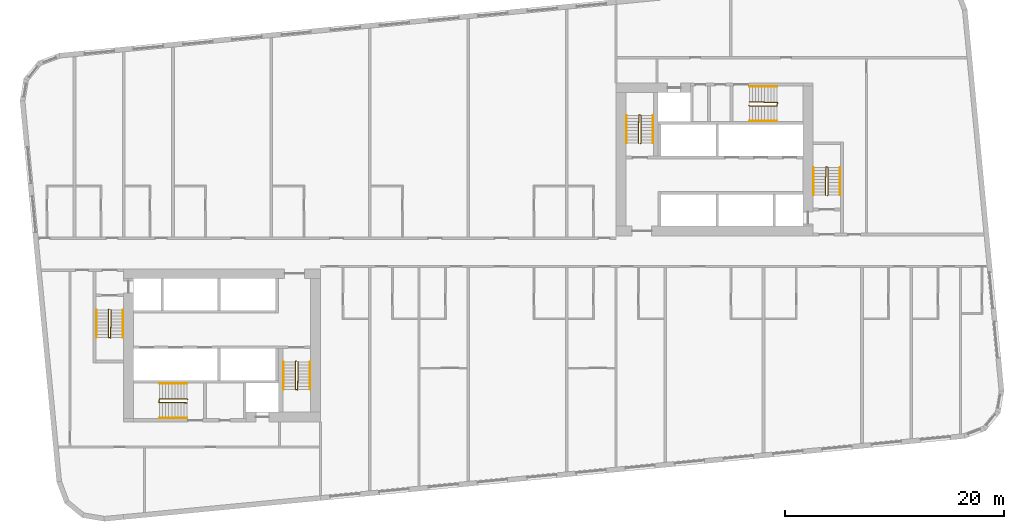
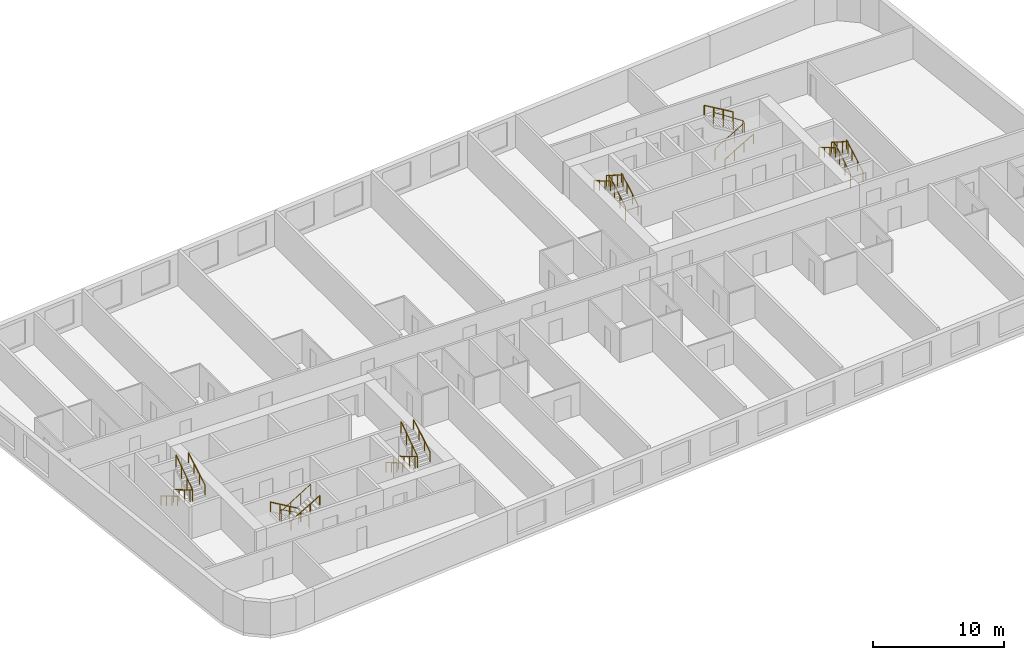
# One storey, part 12 of 12: 18 railings.
"""IFC4 building model written with IfcOpenShell, lengths in metres."""

from ifc_helpers import new_model, si_unit, direction, frame, origin, origin_2d, place, context, subcontext, project, spatial, circle, extrude, material, type_object, element, save


model = new_model("IFC4")

# Units and contexts
model_context = context("Model", 3, precision=1e-05, world=origin(), true_north=direction((0.0, 1.0)))
body_context = subcontext(model_context, "Body", "Model", "MODEL_VIEW")
ifc_project = project(units=[si_unit("LENGTHUNIT", "METRE"), si_unit("AREAUNIT", "SQUARE_METRE"), si_unit("VOLUMEUNIT", "CUBIC_METRE"), si_unit("PLANEANGLEUNIT", "RADIAN"), si_unit("MASSUNIT", "GRAM", prefix="KILO")], contexts=[model_context])

# Site, building, storey
site_placement = place(None, origin())
site = spatial("IfcSite", under=ifc_project, at=site_placement, CompositionType="ELEMENT")
building_placement = place(site_placement, origin())
building = spatial("IfcBuilding", under=site, at=building_placement, Name="Kajstack Hotel Tower", CompositionType="ELEMENT")
storey_placement = place(building_placement, frame((0.0, 0.0, 117.39990234375)))
storey = spatial("IfcBuildingStorey", under=building, at=storey_placement, Name="L25", CompositionType="ELEMENT", Elevation=117.39990234375)

# Railings
ifc_material = material(Name="Steel S355J2", Category="steel")
railing_type_1 = type_object("IfcRailingType", Name="Stair guard 1100", PredefinedType="GUARDRAIL", material=ifc_material)
railing_1_placement = place(storey_placement, frame((-32.85009765625, -5.199951171875, 0.0)))
element("IfcRailing", 1, at=railing_1_placement, inside=storey, type_object=railing_type_1, Name="L25 W1 stair guard 1", PredefinedType="GUARDRAIL", context=body_context, shape_type="SweptSolid", body=[
    extrude(circle(Radius=0.02392578125, at=origin_2d()), frame((0.0, 0.0, 1.076171875), z_axis=(-0.277450376394, -0.278810427259, 0.919394384522), x_axis=(0.708833529934, -0.705375805398, 0.0)), (0.0, 0.0, 1.0), 0.179443359375),
    extrude(circle(Radius=0.02392578125, at=origin_2d()), frame((-0.0498046875, -0.050048828125, 1.2412109375), z_axis=(0.0, -0.86152411907, 0.507716645641), x_axis=(1.0, 0.0, 0.0)), (0.0, 0.0, 1.0), 2.925048828125),
    extrude(circle(Radius=0.02392578125, at=origin_2d()), frame((-0.0498046875, -2.570068359375, 2.72607421875), z_axis=(0.970072785993, -0.242814311512, 0.0), x_axis=(0.242814311512, 0.970072785993, 0.0)), (0.0, 0.0, 1.0), 0.2060546875),
    extrude(circle(Radius=0.02392578125, at=origin_2d()), frame((0.150146484375, -2.6201171875, 2.72607421875), z_axis=(0.016385308676, 0.841405582595, 0.540155687962), x_axis=(-0.999810440751, 0.019470042781, 0.0)), (0.0, 0.0, 1.0), 3.054443359375),
    extrude(circle(Radius=0.02099609375, at=origin_2d()), origin(), (0.0, 0.0, 1.0), 1.052001953125),
    extrude(circle(Radius=0.02099609375, at=origin_2d()), frame((-0.0498046875, -0.050048828125, 0.1650390625)), (0.0, 0.0, 1.0), 1.052001953125),
    extrude(circle(Radius=0.02099609375, at=origin_2d()), frame((-0.0498046875, -0.89013671875, 0.66015625)), (0.0, 0.0, 1.0), 1.052001953125),
    extrude(circle(Radius=0.02099609375, at=origin_2d()), frame((-0.0498046875, -1.72998046875, 1.155029296875)), (0.0, 0.0, 1.0), 1.052001953125),
    extrude(circle(Radius=0.02099609375, at=origin_2d()), frame((-0.0498046875, -2.570068359375, 1.650146484375)), (0.0, 0.0, 1.0), 1.052001953125),
    extrude(circle(Radius=0.02099609375, at=origin_2d()), frame((0.150146484375, -2.6201171875, 1.650146484375)), (0.0, 0.0, 1.0), 1.052001953125),
    extrude(circle(Radius=0.02099609375, at=origin_2d()), frame((0.166748046875, -1.763427734375, 2.2001953125)), (0.0, 0.0, 1.0), 1.052001953125),
    extrude(circle(Radius=0.02099609375, at=origin_2d()), frame((0.18359375, -0.90673828125, 2.75)), (0.0, 0.0, 1.0), 1.052001953125),
    extrude(circle(Radius=0.02099609375, at=origin_2d()), frame((0.2001953125, -0.050048828125, 3.300048828125)), (0.0, 0.0, 1.0), 1.052001953125),
])
railing_2_placement = place(storey_placement, frame((-15.75, -9.949951171875, 0.0)))
element("IfcRailing", 2, at=railing_2_placement, inside=storey, type_object=railing_type_1, Name="L25 W2 stair guard 1", PredefinedType="GUARDRAIL", context=body_context, shape_type="SweptSolid", body=[
    extrude(circle(Radius=0.02392578125, at=origin_2d()), frame((0.0, 0.0, 1.076171875), z_axis=(-0.278705021027, -0.278705021027, 0.919046801044), x_axis=(0.707106781187, -0.707106781187, 0.0)), (0.0, 0.0, 1.0), 0.1796875),
    extrude(circle(Radius=0.02392578125, at=origin_2d()), frame((-0.050048828125, -0.050048828125, 1.2412109375), z_axis=(0.0, -0.86152411907, 0.507716645641), x_axis=(1.0, 0.0, 0.0)), (0.0, 0.0, 1.0), 2.925048828125),
    extrude(circle(Radius=0.02392578125, at=origin_2d()), frame((-0.050048828125, -2.570068359375, 2.72607421875), z_axis=(0.970072785993, -0.242814311512, 0.0), x_axis=(0.242814311512, 0.970072785993, 0.0)), (0.0, 0.0, 1.0), 0.2060546875),
    extrude(circle(Radius=0.02392578125, at=origin_2d()), frame((0.14990234375, -2.6201171875, 2.72607421875), z_axis=(0.016385308676, 0.841405582595, 0.540155687962), x_axis=(-0.999810440751, 0.019470042781, 0.0)), (0.0, 0.0, 1.0), 3.054443359375),
    extrude(circle(Radius=0.02099609375, at=origin_2d()), origin(), (0.0, 0.0, 1.0), 1.052001953125),
    extrude(circle(Radius=0.02099609375, at=origin_2d()), frame((-0.050048828125, -0.050048828125, 0.1650390625)), (0.0, 0.0, 1.0), 1.052001953125),
    extrude(circle(Radius=0.02099609375, at=origin_2d()), frame((-0.050048828125, -0.89013671875, 0.66015625)), (0.0, 0.0, 1.0), 1.052001953125),
    extrude(circle(Radius=0.02099609375, at=origin_2d()), frame((-0.050048828125, -1.72998046875, 1.155029296875)), (0.0, 0.0, 1.0), 1.052001953125),
    extrude(circle(Radius=0.02099609375, at=origin_2d()), frame((-0.050048828125, -2.570068359375, 1.650146484375)), (0.0, 0.0, 1.0), 1.052001953125),
    extrude(circle(Radius=0.02099609375, at=origin_2d()), frame((0.14990234375, -2.6201171875, 1.650146484375)), (0.0, 0.0, 1.0), 1.052001953125),
    extrude(circle(Radius=0.02099609375, at=origin_2d()), frame((0.16650390625, -1.763427734375, 2.2001953125)), (0.0, 0.0, 1.0), 1.052001953125),
    extrude(circle(Radius=0.02099609375, at=origin_2d()), frame((0.183349609375, -0.90673828125, 2.75)), (0.0, 0.0, 1.0), 1.052001953125),
    extrude(circle(Radius=0.02099609375, at=origin_2d()), frame((0.199951171875, -0.050048828125, 3.300048828125)), (0.0, 0.0, 1.0), 1.052001953125),
])
railing_3_placement = place(storey_placement, frame((-25.64990234375, -13.449951171875, 0.0)))
element("IfcRailing", 3, at=railing_3_placement, inside=storey, type_object=railing_type_1, Name="L25 W3 stair guard 1", PredefinedType="GUARDRAIL", context=body_context, shape_type="SweptSolid", body=[
    extrude(circle(Radius=0.02392578125, at=origin_2d()), frame((0.0, 0.0, 1.076171875), z_axis=(-0.278705021027, 0.278705021027, 0.919046801044), x_axis=(-0.707106781187, -0.707106781187, 0.0)), (0.0, 0.0, 1.0), 0.1796875),
    extrude(circle(Radius=0.02392578125, at=origin_2d()), frame((-0.050048828125, 0.050048828125, 1.2412109375), z_axis=(-0.86152411907, 0.0, 0.507716645641), x_axis=(0.0, -1.0, 0.0)), (0.0, 0.0, 1.0), 2.925048828125),
    extrude(circle(Radius=0.02392578125, at=origin_2d()), frame((-2.570068359375, 0.050048828125, 2.72607421875), z_axis=(-0.164529134168, -0.986372223864, 0.0), x_axis=(0.986372223864, -0.164529134168, 0.0)), (0.0, 0.0, 1.0), 0.30419921875),
    extrude(circle(Radius=0.02392578125, at=origin_2d()), frame((-2.6201171875, -0.25, 2.72607421875), z_axis=(0.841405582595, -0.016385308676, 0.540155687962), x_axis=(0.019470042781, 0.999810440751, 0.0)), (0.0, 0.0, 1.0), 3.054443359375),
    extrude(circle(Radius=0.02099609375, at=origin_2d()), origin(), (0.0, 0.0, 1.0), 1.052001953125),
    extrude(circle(Radius=0.02099609375, at=origin_2d()), frame((-0.050048828125, 0.050048828125, 0.1650390625)), (0.0, 0.0, 1.0), 1.052001953125),
    extrude(circle(Radius=0.02099609375, at=origin_2d()), frame((-0.89013671875, 0.050048828125, 0.66015625)), (0.0, 0.0, 1.0), 1.052001953125),
    extrude(circle(Radius=0.02099609375, at=origin_2d()), frame((-1.72998046875, 0.050048828125, 1.155029296875)), (0.0, 0.0, 1.0), 1.052001953125),
    extrude(circle(Radius=0.02099609375, at=origin_2d()), frame((-2.570068359375, 0.050048828125, 1.650146484375)), (0.0, 0.0, 1.0), 1.052001953125),
    extrude(circle(Radius=0.02099609375, at=origin_2d()), frame((-2.6201171875, -0.25, 1.650146484375)), (0.0, 0.0, 1.0), 1.052001953125),
    extrude(circle(Radius=0.02099609375, at=origin_2d()), frame((-1.763427734375, -0.2666015625, 2.2001953125)), (0.0, 0.0, 1.0), 1.052001953125),
    extrude(circle(Radius=0.02099609375, at=origin_2d()), frame((-0.90673828125, -0.283447265625, 2.75)), (0.0, 0.0, 1.0), 1.052001953125),
    extrude(circle(Radius=0.02099609375, at=origin_2d()), frame((-0.050048828125, -0.300048828125, 3.300048828125)), (0.0, 0.0, 1.0), 1.052001953125),
])
railing_4_placement = place(storey_placement, frame((32.85009765625, 5.199951171875, 0.0)))
element("IfcRailing", 4, at=railing_4_placement, inside=storey, type_object=railing_type_1, Name="L25 E1 stair guard 1", PredefinedType="GUARDRAIL", context=body_context, shape_type="SweptSolid", body=[
    extrude(circle(Radius=0.02392578125, at=origin_2d()), frame((0.0, 0.0, 1.076171875), z_axis=(0.277450376394, 0.278810427259, 0.919394384522), x_axis=(-0.708833529934, 0.705375805398, 0.0)), (0.0, 0.0, 1.0), 0.179443359375),
    extrude(circle(Radius=0.02392578125, at=origin_2d()), frame((0.0498046875, 0.050048828125, 1.2412109375), z_axis=(0.0, 0.86152411907, 0.507716645641), x_axis=(-1.0, 0.0, 0.0)), (0.0, 0.0, 1.0), 2.925048828125),
    extrude(circle(Radius=0.02392578125, at=origin_2d()), frame((0.0498046875, 2.570068359375, 2.72607421875), z_axis=(-0.970072785993, 0.242814311512, 0.0), x_axis=(-0.242814311512, -0.970072785993, 0.0)), (0.0, 0.0, 1.0), 0.2060546875),
    extrude(circle(Radius=0.02392578125, at=origin_2d()), frame((-0.150146484375, 2.6201171875, 2.72607421875), z_axis=(-0.016385308676, -0.841405582595, 0.540155687962), x_axis=(0.999810440751, -0.019470042781, 0.0)), (0.0, 0.0, 1.0), 3.054443359375),
    extrude(circle(Radius=0.02099609375, at=origin_2d()), origin(), (0.0, 0.0, 1.0), 1.052001953125),
    extrude(circle(Radius=0.02099609375, at=origin_2d()), frame((0.0498046875, 0.050048828125, 0.1650390625)), (0.0, 0.0, 1.0), 1.052001953125),
    extrude(circle(Radius=0.02099609375, at=origin_2d()), frame((0.0498046875, 0.89013671875, 0.66015625)), (0.0, 0.0, 1.0), 1.052001953125),
    extrude(circle(Radius=0.02099609375, at=origin_2d()), frame((0.0498046875, 1.72998046875, 1.155029296875)), (0.0, 0.0, 1.0), 1.052001953125),
    extrude(circle(Radius=0.02099609375, at=origin_2d()), frame((0.0498046875, 2.570068359375, 1.650146484375)), (0.0, 0.0, 1.0), 1.052001953125),
    extrude(circle(Radius=0.02099609375, at=origin_2d()), frame((-0.150146484375, 2.6201171875, 1.650146484375)), (0.0, 0.0, 1.0), 1.052001953125),
    extrude(circle(Radius=0.02099609375, at=origin_2d()), frame((-0.166748046875, 1.763427734375, 2.2001953125)), (0.0, 0.0, 1.0), 1.052001953125),
    extrude(circle(Radius=0.02099609375, at=origin_2d()), frame((-0.18359375, 0.90673828125, 2.75)), (0.0, 0.0, 1.0), 1.052001953125),
    extrude(circle(Radius=0.02099609375, at=origin_2d()), frame((-0.2001953125, 0.050048828125, 3.300048828125)), (0.0, 0.0, 1.0), 1.052001953125),
])
railing_5_placement = place(storey_placement, frame((15.75, 9.949951171875, 0.0)))
element("IfcRailing", 5, at=railing_5_placement, inside=storey, type_object=railing_type_1, Name="L25 E2 stair guard 1", PredefinedType="GUARDRAIL", context=body_context, shape_type="SweptSolid", body=[
    extrude(circle(Radius=0.02392578125, at=origin_2d()), frame((0.0, 0.0, 1.076171875), z_axis=(0.278705021027, 0.278705021027, 0.919046801044), x_axis=(-0.707106781187, 0.707106781187, 0.0)), (0.0, 0.0, 1.0), 0.1796875),
    extrude(circle(Radius=0.02392578125, at=origin_2d()), frame((0.050048828125, 0.050048828125, 1.2412109375), z_axis=(0.0, 0.86152411907, 0.507716645641), x_axis=(-1.0, 0.0, 0.0)), (0.0, 0.0, 1.0), 2.925048828125),
    extrude(circle(Radius=0.02392578125, at=origin_2d()), frame((0.050048828125, 2.570068359375, 2.72607421875), z_axis=(-0.970072785993, 0.242814311512, 0.0), x_axis=(-0.242814311512, -0.970072785993, 0.0)), (0.0, 0.0, 1.0), 0.2060546875),
    extrude(circle(Radius=0.02392578125, at=origin_2d()), frame((-0.14990234375, 2.6201171875, 2.72607421875), z_axis=(-0.016385308676, -0.841405582595, 0.540155687962), x_axis=(0.999810440751, -0.019470042781, 0.0)), (0.0, 0.0, 1.0), 3.054443359375),
    extrude(circle(Radius=0.02099609375, at=origin_2d()), origin(), (0.0, 0.0, 1.0), 1.052001953125),
    extrude(circle(Radius=0.02099609375, at=origin_2d()), frame((0.050048828125, 0.050048828125, 0.1650390625)), (0.0, 0.0, 1.0), 1.052001953125),
    extrude(circle(Radius=0.02099609375, at=origin_2d()), frame((0.050048828125, 0.89013671875, 0.66015625)), (0.0, 0.0, 1.0), 1.052001953125),
    extrude(circle(Radius=0.02099609375, at=origin_2d()), frame((0.050048828125, 1.72998046875, 1.155029296875)), (0.0, 0.0, 1.0), 1.052001953125),
    extrude(circle(Radius=0.02099609375, at=origin_2d()), frame((0.050048828125, 2.570068359375, 1.650146484375)), (0.0, 0.0, 1.0), 1.052001953125),
    extrude(circle(Radius=0.02099609375, at=origin_2d()), frame((-0.14990234375, 2.6201171875, 1.650146484375)), (0.0, 0.0, 1.0), 1.052001953125),
    extrude(circle(Radius=0.02099609375, at=origin_2d()), frame((-0.16650390625, 1.763427734375, 2.2001953125)), (0.0, 0.0, 1.0), 1.052001953125),
    extrude(circle(Radius=0.02099609375, at=origin_2d()), frame((-0.183349609375, 0.90673828125, 2.75)), (0.0, 0.0, 1.0), 1.052001953125),
    extrude(circle(Radius=0.02099609375, at=origin_2d()), frame((-0.199951171875, 0.050048828125, 3.300048828125)), (0.0, 0.0, 1.0), 1.052001953125),
])
railing_6_placement = place(storey_placement, frame((25.64990234375, 13.449951171875, 0.0)))
element("IfcRailing", 6, at=railing_6_placement, inside=storey, type_object=railing_type_1, Name="L25 E3 stair guard 1", PredefinedType="GUARDRAIL", context=body_context, shape_type="SweptSolid", body=[
    extrude(circle(Radius=0.02392578125, at=origin_2d()), frame((0.0, 0.0, 1.076171875), z_axis=(0.278705021027, -0.278705021027, 0.919046801044), x_axis=(0.707106781187, 0.707106781187, 0.0)), (0.0, 0.0, 1.0), 0.1796875),
    extrude(circle(Radius=0.02392578125, at=origin_2d()), frame((0.050048828125, -0.050048828125, 1.2412109375), z_axis=(0.86152411907, 0.0, 0.507716645641), x_axis=(0.0, 1.0, 0.0)), (0.0, 0.0, 1.0), 2.925048828125),
    extrude(circle(Radius=0.02392578125, at=origin_2d()), frame((2.570068359375, -0.050048828125, 2.72607421875), z_axis=(0.164529134168, 0.986372223864, 0.0), x_axis=(-0.986372223864, 0.164529134168, 0.0)), (0.0, 0.0, 1.0), 0.30419921875),
    extrude(circle(Radius=0.02392578125, at=origin_2d()), frame((2.6201171875, 0.25, 2.72607421875), z_axis=(-0.841405582595, 0.016385308676, 0.540155687962), x_axis=(-0.019470042781, -0.999810440751, 0.0)), (0.0, 0.0, 1.0), 3.054443359375),
    extrude(circle(Radius=0.02099609375, at=origin_2d()), origin(), (0.0, 0.0, 1.0), 1.052001953125),
    extrude(circle(Radius=0.02099609375, at=origin_2d()), frame((0.050048828125, -0.050048828125, 0.1650390625)), (0.0, 0.0, 1.0), 1.052001953125),
    extrude(circle(Radius=0.02099609375, at=origin_2d()), frame((0.89013671875, -0.050048828125, 0.66015625)), (0.0, 0.0, 1.0), 1.052001953125),
    extrude(circle(Radius=0.02099609375, at=origin_2d()), frame((1.72998046875, -0.050048828125, 1.155029296875)), (0.0, 0.0, 1.0), 1.052001953125),
    extrude(circle(Radius=0.02099609375, at=origin_2d()), frame((2.570068359375, -0.050048828125, 1.650146484375)), (0.0, 0.0, 1.0), 1.052001953125),
    extrude(circle(Radius=0.02099609375, at=origin_2d()), frame((2.6201171875, 0.25, 1.650146484375)), (0.0, 0.0, 1.0), 1.052001953125),
    extrude(circle(Radius=0.02099609375, at=origin_2d()), frame((1.763427734375, 0.2666015625, 2.2001953125)), (0.0, 0.0, 1.0), 1.052001953125),
    extrude(circle(Radius=0.02099609375, at=origin_2d()), frame((0.90673828125, 0.283447265625, 2.75)), (0.0, 0.0, 1.0), 1.052001953125),
    extrude(circle(Radius=0.02099609375, at=origin_2d()), frame((0.050048828125, 0.300048828125, 3.300048828125)), (0.0, 0.0, 1.0), 1.052001953125),
])
railing_type_2 = type_object("IfcRailingType", Name="Stair handrail 900", PredefinedType="HANDRAIL", material=ifc_material)
railing_7_placement = place(storey_placement, frame((-34.0, -5.25, 0.1650390625)))
element("IfcRailing", 7, at=railing_7_placement, inside=storey, type_object=railing_type_2, Name="L25 W1 stair handrail 1", PredefinedType="HANDRAIL", context=body_context, shape_type="SweptSolid", body=[
    extrude(circle(Radius=0.02392578125, at=origin_2d()), frame((0.0, 0.0, 0.8759765625), z_axis=(0.0, -0.86152411907, 0.507716645641), x_axis=(1.0, 0.0, 0.0)), (0.0, 0.0, 1.0), 2.925048828125),
    extrude(circle(Radius=0.02099609375, at=origin_2d()), origin(), (0.0, 0.0, 1.0), 0.851806640625),
    extrude(circle(Radius=0.02099609375, at=origin_2d()), frame((0.0, -0.840087890625, 0.4951171875)), (0.0, 0.0, 1.0), 0.851806640625),
    extrude(circle(Radius=0.02099609375, at=origin_2d()), frame((0.0, -1.679931640625, 0.989990234375)), (0.0, 0.0, 1.0), 0.851806640625),
    extrude(circle(Radius=0.02099609375, at=origin_2d()), frame((0.0, -2.52001953125, 1.485107421875)), (0.0, 0.0, 1.0), 0.851806640625),
])
railing_8_placement = place(storey_placement, frame((-31.550048828125, -7.77001953125, 1.815185546875)))
element("IfcRailing", 8, at=railing_8_placement, inside=storey, type_object=railing_type_2, Name="L25 W1 stair handrail 2", PredefinedType="HANDRAIL", context=body_context, shape_type="SweptSolid", body=[
    extrude(circle(Radius=0.02392578125, at=origin_2d()), frame((0.0, 0.0, 0.8759765625), z_axis=(0.0, 0.861560626758, 0.507654692109), x_axis=(-1.0, 0.0, 0.0)), (0.0, 0.0, 1.0), 2.925048828125),
    extrude(circle(Radius=0.02099609375, at=origin_2d()), origin(), (0.0, 0.0, 1.0), 0.851806640625),
    extrude(circle(Radius=0.02099609375, at=origin_2d()), frame((0.0, 0.840087890625, 0.494873046875)), (0.0, 0.0, 1.0), 0.851806640625),
    extrude(circle(Radius=0.02099609375, at=origin_2d()), frame((0.0, 1.679931640625, 0.989990234375)), (0.0, 0.0, 1.0), 0.851806640625),
    extrude(circle(Radius=0.02099609375, at=origin_2d()), frame((0.0, 2.52001953125, 1.48486328125)), (0.0, 0.0, 1.0), 0.851806640625),
])
railing_9_placement = place(storey_placement, frame((-16.89990234375, -10.0, 0.1650390625)))
element("IfcRailing", 9, at=railing_9_placement, inside=storey, type_object=railing_type_2, Name="L25 W2 stair handrail 1", PredefinedType="HANDRAIL", context=body_context, shape_type="SweptSolid", body=[
    extrude(circle(Radius=0.02392578125, at=origin_2d()), frame((0.0, 0.0, 0.8759765625), z_axis=(0.0, -0.86152411907, 0.507716645641), x_axis=(1.0, 0.0, 0.0)), (0.0, 0.0, 1.0), 2.925048828125),
    extrude(circle(Radius=0.02099609375, at=origin_2d()), origin(), (0.0, 0.0, 1.0), 0.851806640625),
    extrude(circle(Radius=0.02099609375, at=origin_2d()), frame((0.0, -0.840087890625, 0.4951171875)), (0.0, 0.0, 1.0), 0.851806640625),
    extrude(circle(Radius=0.02099609375, at=origin_2d()), frame((0.0, -1.679931640625, 0.989990234375)), (0.0, 0.0, 1.0), 0.851806640625),
    extrude(circle(Radius=0.02099609375, at=origin_2d()), frame((0.0, -2.52001953125, 1.485107421875)), (0.0, 0.0, 1.0), 0.851806640625),
])
railing_10_placement = place(storey_placement, frame((-14.449951171875, -12.52001953125, 1.815185546875)))
element("IfcRailing", 10, at=railing_10_placement, inside=storey, type_object=railing_type_2, Name="L25 W2 stair handrail 2", PredefinedType="HANDRAIL", context=body_context, shape_type="SweptSolid", body=[
    extrude(circle(Radius=0.02392578125, at=origin_2d()), frame((0.0, 0.0, 0.8759765625), z_axis=(0.0, 0.861560626758, 0.507654692109), x_axis=(-1.0, 0.0, 0.0)), (0.0, 0.0, 1.0), 2.925048828125),
    extrude(circle(Radius=0.02099609375, at=origin_2d()), origin(), (0.0, 0.0, 1.0), 0.851806640625),
    extrude(circle(Radius=0.02099609375, at=origin_2d()), frame((0.0, 0.840087890625, 0.494873046875)), (0.0, 0.0, 1.0), 0.851806640625),
    extrude(circle(Radius=0.02099609375, at=origin_2d()), frame((0.0, 1.679931640625, 0.989990234375)), (0.0, 0.0, 1.0), 0.851806640625),
    extrude(circle(Radius=0.02099609375, at=origin_2d()), frame((0.0, 2.52001953125, 1.48486328125)), (0.0, 0.0, 1.0), 0.851806640625),
])
railing_11_placement = place(storey_placement, frame((-25.699951171875, -12.0, 0.1650390625)))
element("IfcRailing", 11, at=railing_11_placement, inside=storey, type_object=railing_type_2, Name="L25 W3 stair handrail 1", PredefinedType="HANDRAIL", context=body_context, shape_type="SweptSolid", body=[
    extrude(circle(Radius=0.02392578125, at=origin_2d()), frame((0.0, 0.0, 0.8759765625), z_axis=(-0.86152411907, 0.0, 0.507716645641), x_axis=(0.0, -1.0, 0.0)), (0.0, 0.0, 1.0), 2.925048828125),
    extrude(circle(Radius=0.02099609375, at=origin_2d()), origin(), (0.0, 0.0, 1.0), 0.851806640625),
    extrude(circle(Radius=0.02099609375, at=origin_2d()), frame((-0.840087890625, 0.0, 0.4951171875)), (0.0, 0.0, 1.0), 0.851806640625),
    extrude(circle(Radius=0.02099609375, at=origin_2d()), frame((-1.679931640625, 0.0, 0.989990234375)), (0.0, 0.0, 1.0), 0.851806640625),
    extrude(circle(Radius=0.02099609375, at=origin_2d()), frame((-2.52001953125, 0.0, 1.485107421875)), (0.0, 0.0, 1.0), 0.851806640625),
])
railing_12_placement = place(storey_placement, frame((-28.219970703125, -15.14990234375, 1.815185546875)))
element("IfcRailing", 12, at=railing_12_placement, inside=storey, type_object=railing_type_2, Name="L25 W3 stair handrail 2", PredefinedType="HANDRAIL", context=body_context, shape_type="SweptSolid", body=[
    extrude(circle(Radius=0.02392578125, at=origin_2d()), frame((0.0, 0.0, 0.8759765625), z_axis=(0.861560626758, 0.0, 0.507654692109), x_axis=(0.0, 1.0, 0.0)), (0.0, 0.0, 1.0), 2.925048828125),
    extrude(circle(Radius=0.02099609375, at=origin_2d()), origin(), (0.0, 0.0, 1.0), 0.851806640625),
    extrude(circle(Radius=0.02099609375, at=origin_2d()), frame((0.840087890625, 0.0, 0.494873046875)), (0.0, 0.0, 1.0), 0.851806640625),
    extrude(circle(Radius=0.02099609375, at=origin_2d()), frame((1.679931640625, 0.0, 0.989990234375)), (0.0, 0.0, 1.0), 0.851806640625),
    extrude(circle(Radius=0.02099609375, at=origin_2d()), frame((2.52001953125, 0.0, 1.48486328125)), (0.0, 0.0, 1.0), 0.851806640625),
])
railing_13_placement = place(storey_placement, frame((34.0, 5.25, 0.1650390625)))
element("IfcRailing", 13, at=railing_13_placement, inside=storey, type_object=railing_type_2, Name="L25 E1 stair handrail 1", PredefinedType="HANDRAIL", context=body_context, shape_type="SweptSolid", body=[
    extrude(circle(Radius=0.02392578125, at=origin_2d()), frame((0.0, 0.0, 0.8759765625), z_axis=(0.0, 0.86152411907, 0.507716645641), x_axis=(-1.0, 0.0, 0.0)), (0.0, 0.0, 1.0), 2.925048828125),
    extrude(circle(Radius=0.02099609375, at=origin_2d()), origin(), (0.0, 0.0, 1.0), 0.851806640625),
    extrude(circle(Radius=0.02099609375, at=origin_2d()), frame((0.0, 0.840087890625, 0.4951171875)), (0.0, 0.0, 1.0), 0.851806640625),
    extrude(circle(Radius=0.02099609375, at=origin_2d()), frame((0.0, 1.679931640625, 0.989990234375)), (0.0, 0.0, 1.0), 0.851806640625),
    extrude(circle(Radius=0.02099609375, at=origin_2d()), frame((0.0, 2.52001953125, 1.485107421875)), (0.0, 0.0, 1.0), 0.851806640625),
])
railing_14_placement = place(storey_placement, frame((31.550048828125, 7.77001953125, 1.815185546875)))
element("IfcRailing", 14, at=railing_14_placement, inside=storey, type_object=railing_type_2, Name="L25 E1 stair handrail 2", PredefinedType="HANDRAIL", context=body_context, shape_type="SweptSolid", body=[
    extrude(circle(Radius=0.02392578125, at=origin_2d()), frame((0.0, 0.0, 0.8759765625), z_axis=(0.0, -0.861560626758, 0.507654692109), x_axis=(1.0, 0.0, 0.0)), (0.0, 0.0, 1.0), 2.925048828125),
    extrude(circle(Radius=0.02099609375, at=origin_2d()), origin(), (0.0, 0.0, 1.0), 0.851806640625),
    extrude(circle(Radius=0.02099609375, at=origin_2d()), frame((0.0, -0.840087890625, 0.494873046875)), (0.0, 0.0, 1.0), 0.851806640625),
    extrude(circle(Radius=0.02099609375, at=origin_2d()), frame((0.0, -1.679931640625, 0.989990234375)), (0.0, 0.0, 1.0), 0.851806640625),
    extrude(circle(Radius=0.02099609375, at=origin_2d()), frame((0.0, -2.52001953125, 1.48486328125)), (0.0, 0.0, 1.0), 0.851806640625),
])
railing_15_placement = place(storey_placement, frame((16.89990234375, 10.0, 0.1650390625)))
element("IfcRailing", 15, at=railing_15_placement, inside=storey, type_object=railing_type_2, Name="L25 E2 stair handrail 1", PredefinedType="HANDRAIL", context=body_context, shape_type="SweptSolid", body=[
    extrude(circle(Radius=0.02392578125, at=origin_2d()), frame((0.0, 0.0, 0.8759765625), z_axis=(0.0, 0.86152411907, 0.507716645641), x_axis=(-1.0, 0.0, 0.0)), (0.0, 0.0, 1.0), 2.925048828125),
    extrude(circle(Radius=0.02099609375, at=origin_2d()), origin(), (0.0, 0.0, 1.0), 0.851806640625),
    extrude(circle(Radius=0.02099609375, at=origin_2d()), frame((0.0, 0.840087890625, 0.4951171875)), (0.0, 0.0, 1.0), 0.851806640625),
    extrude(circle(Radius=0.02099609375, at=origin_2d()), frame((0.0, 1.679931640625, 0.989990234375)), (0.0, 0.0, 1.0), 0.851806640625),
    extrude(circle(Radius=0.02099609375, at=origin_2d()), frame((0.0, 2.52001953125, 1.485107421875)), (0.0, 0.0, 1.0), 0.851806640625),
])
railing_16_placement = place(storey_placement, frame((14.449951171875, 12.52001953125, 1.815185546875)))
element("IfcRailing", 16, at=railing_16_placement, inside=storey, type_object=railing_type_2, Name="L25 E2 stair handrail 2", PredefinedType="HANDRAIL", context=body_context, shape_type="SweptSolid", body=[
    extrude(circle(Radius=0.02392578125, at=origin_2d()), frame((0.0, 0.0, 0.8759765625), z_axis=(0.0, -0.861560626758, 0.507654692109), x_axis=(1.0, 0.0, 0.0)), (0.0, 0.0, 1.0), 2.925048828125),
    extrude(circle(Radius=0.02099609375, at=origin_2d()), origin(), (0.0, 0.0, 1.0), 0.851806640625),
    extrude(circle(Radius=0.02099609375, at=origin_2d()), frame((0.0, -0.840087890625, 0.494873046875)), (0.0, 0.0, 1.0), 0.851806640625),
    extrude(circle(Radius=0.02099609375, at=origin_2d()), frame((0.0, -1.679931640625, 0.989990234375)), (0.0, 0.0, 1.0), 0.851806640625),
    extrude(circle(Radius=0.02099609375, at=origin_2d()), frame((0.0, -2.52001953125, 1.48486328125)), (0.0, 0.0, 1.0), 0.851806640625),
])
railing_17_placement = place(storey_placement, frame((25.699951171875, 12.0, 0.1650390625)))
element("IfcRailing", 17, at=railing_17_placement, inside=storey, type_object=railing_type_2, Name="L25 E3 stair handrail 1", PredefinedType="HANDRAIL", context=body_context, shape_type="SweptSolid", body=[
    extrude(circle(Radius=0.02392578125, at=origin_2d()), frame((0.0, 0.0, 0.8759765625), z_axis=(0.86152411907, 0.0, 0.507716645641), x_axis=(0.0, 1.0, 0.0)), (0.0, 0.0, 1.0), 2.925048828125),
    extrude(circle(Radius=0.02099609375, at=origin_2d()), origin(), (0.0, 0.0, 1.0), 0.851806640625),
    extrude(circle(Radius=0.02099609375, at=origin_2d()), frame((0.840087890625, 0.0, 0.4951171875)), (0.0, 0.0, 1.0), 0.851806640625),
    extrude(circle(Radius=0.02099609375, at=origin_2d()), frame((1.679931640625, 0.0, 0.989990234375)), (0.0, 0.0, 1.0), 0.851806640625),
    extrude(circle(Radius=0.02099609375, at=origin_2d()), frame((2.52001953125, 0.0, 1.485107421875)), (0.0, 0.0, 1.0), 0.851806640625),
])
railing_18_placement = place(storey_placement, frame((28.219970703125, 15.14990234375, 1.815185546875)))
element("IfcRailing", 18, at=railing_18_placement, inside=storey, type_object=railing_type_2, Name="L25 E3 stair handrail 2", PredefinedType="HANDRAIL", context=body_context, shape_type="SweptSolid", body=[
    extrude(circle(Radius=0.02392578125, at=origin_2d()), frame((0.0, 0.0, 0.8759765625), z_axis=(-0.861560626758, 0.0, 0.507654692109), x_axis=(0.0, -1.0, 0.0)), (0.0, 0.0, 1.0), 2.925048828125),
    extrude(circle(Radius=0.02099609375, at=origin_2d()), origin(), (0.0, 0.0, 1.0), 0.851806640625),
    extrude(circle(Radius=0.02099609375, at=origin_2d()), frame((-0.840087890625, 0.0, 0.494873046875)), (0.0, 0.0, 1.0), 0.851806640625),
    extrude(circle(Radius=0.02099609375, at=origin_2d()), frame((-1.679931640625, 0.0, 0.989990234375)), (0.0, 0.0, 1.0), 0.851806640625),
    extrude(circle(Radius=0.02099609375, at=origin_2d()), frame((-2.52001953125, 0.0, 1.48486328125)), (0.0, 0.0, 1.0), 0.851806640625),
])

save(model, "model.ifc")
